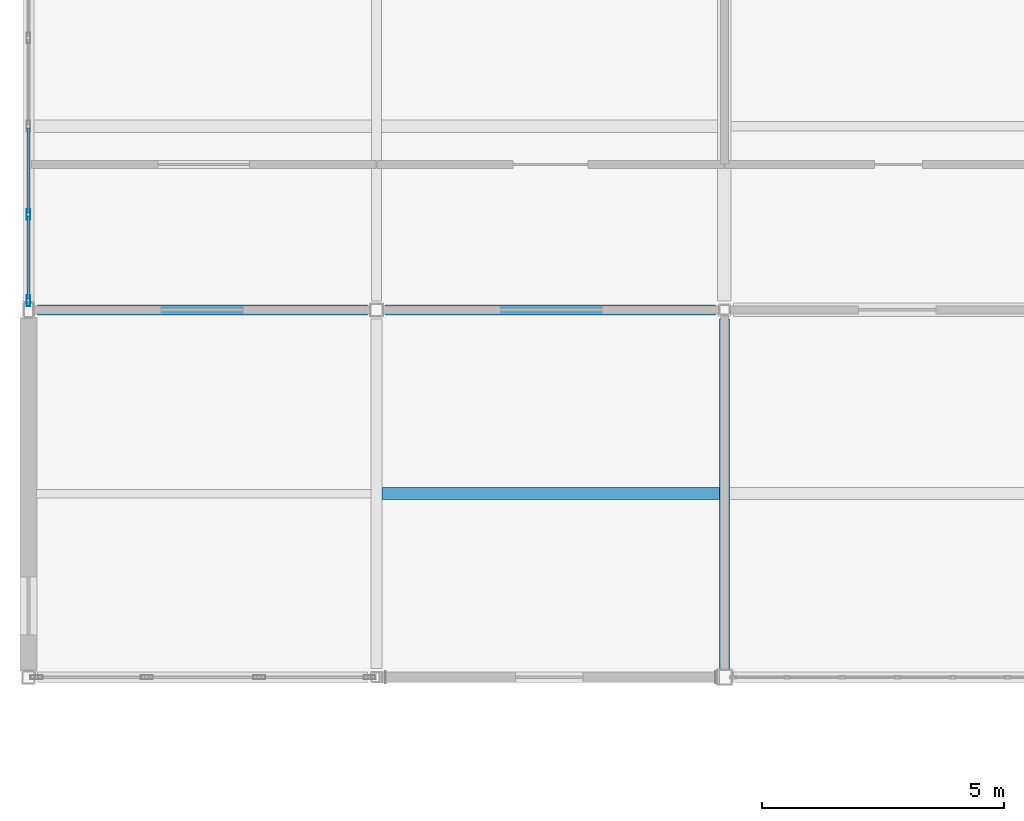
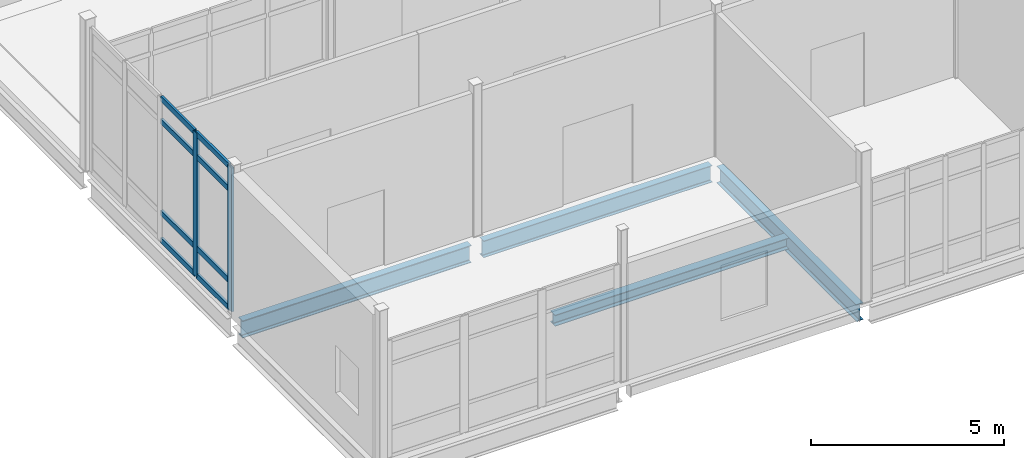
# One storey, part 33 of 186: 10 members, 4 beams, 1 element without a shape of its own.
"""IFC4 building model written with IfcOpenShell, lengths in metres."""

from ifc_helpers import new_model, si_unit, direction, frame, origin, origin_2d, place, context, subcontext, project, spatial, hollow_rectangle, i_section, extrude, material, layer, layer_set, material_profile, profile_set, type_object, element, aggregate, save


model = new_model("IFC4")

# Units and contexts
model_context = context("Model", 3, precision=1e-05, world=origin(), true_north=direction((0.0, 1.0)))
body_context = subcontext(model_context, "Body", "Model", "MODEL_VIEW")
ifc_project = project(units=[si_unit("LENGTHUNIT", "METRE"), si_unit("AREAUNIT", "SQUARE_METRE"), si_unit("VOLUMEUNIT", "CUBIC_METRE"), si_unit("PLANEANGLEUNIT", "RADIAN"), si_unit("MASSUNIT", "GRAM", prefix="KILO")], contexts=[model_context])

# Site, building, storey
site_placement = place(None, origin())
site = spatial("IfcSite", under=ifc_project, at=site_placement, CompositionType="ELEMENT")
building_placement = place(site_placement, origin())
building = spatial("IfcBuilding", under=site, at=building_placement, Name="Calvrana Isthmian Art Gallery", CompositionType="ELEMENT")
storey_placement = place(building_placement, frame((0.0, 0.0, 5.39990234375)))
storey = spatial("IfcBuildingStorey", under=building, at=storey_placement, Name="L01", CompositionType="ELEMENT", Elevation=5.39990234375)

# Beams
ifc_material_1 = material(Name="Steel ASTM A992 Gr 50", Category="steel")
ifc_material_profile_1 = material_profile(ifc_material_1, i_section(OverallWidth=0.208984375, OverallDepth=0.532958984375, WebThickness=0.01025390625, FlangeThickness=0.015625, FilletRadius=0.02099609375, at=origin_2d()), Name="W21X62")
ifc_profile_set_1 = profile_set([ifc_material_profile_1], Name="Steel ASTM A992 Gr 50")
beam_type_1 = type_object("IfcBeamType", Name="BM-G-W21X62", PredefinedType="BEAM", material=ifc_profile_set_1)
beam_1_placement = place(storey_placement, frame((7.386474609375, 54.39990234375, -0.511474609375), z_axis=(1.0, 0.0, 0.0), x_axis=(0.0, 1.0, 0.0)))
element("IfcBeam", 1, at=beam_1_placement, inside=storey, type_object=beam_type_1, Name="Girder X L01 02-03/H", PredefinedType="BEAM", context=body_context, shape_type="SweptSolid", body=[
    extrude(i_section(OverallWidth=0.208984375, OverallDepth=0.532958984375, WebThickness=0.01025390625, FlangeThickness=0.015625, FilletRadius=0.02099609375, at=origin_2d()), origin(), (0.0, 0.0, 1.0), 6.826904296875),
])
beam_2_placement = place(storey_placement, frame((14.39990234375, 46.9814453125, -0.511474609375), z_axis=(0.0, 1.0, 0.0), x_axis=(-1.0, 0.0, 0.0)))
element("IfcBeam", 2, at=beam_2_placement, inside=storey, type_object=beam_type_1, Name="Girder Y L01 03/G-H", PredefinedType="BEAM", context=body_context, shape_type="SweptSolid", body=[
    extrude(i_section(OverallWidth=0.208984375, OverallDepth=0.532958984375, WebThickness=0.01025390625, FlangeThickness=0.015625, FilletRadius=0.02099609375, at=origin_2d()), origin(), (0.0, 0.0, 1.0), 7.234619140625),
])
ifc_material_profile_2 = material_profile(ifc_material_1, i_section(OverallWidth=0.214111328125, OverallDepth=0.549072265625, WebThickness=0.0146484375, FlangeThickness=0.023681640625, FilletRadius=0.02099609375, at=origin_2d()), Name="W21X93")
ifc_profile_set_2 = profile_set([ifc_material_profile_2], Name="Steel ASTM A992 Gr 50")
beam_type_2 = type_object("IfcBeamType", Name="BM-G-W21X93", PredefinedType="BEAM", material=ifc_profile_set_2)
beam_3_placement = place(storey_placement, frame((0.18408203125, 54.39990234375, -0.519287109375), z_axis=(1.0, 0.0, 0.0), x_axis=(0.0, 1.0, 0.0)))
element("IfcBeam", 3, at=beam_3_placement, inside=storey, type_object=beam_type_2, Name="Girder X L01 01-02/H", PredefinedType="BEAM", context=body_context, shape_type="SweptSolid", body=[
    extrude(i_section(OverallWidth=0.214111328125, OverallDepth=0.549072265625, WebThickness=0.0146484375, FlangeThickness=0.023681640625, FilletRadius=0.02099609375, at=origin_2d()), origin(), (0.0, 0.0, 1.0), 6.829345703125),
])
ifc_material_profile_3 = material_profile(ifc_material_1, i_section(OverallWidth=0.25390625, OverallDepth=0.35302734375, WebThickness=0.009521484375, FlangeThickness=0.016357421875, FilletRadius=0.01806640625, at=origin_2d()), Name="W14X61")
ifc_profile_set_3 = profile_set([ifc_material_profile_3], Name="Steel ASTM A992 Gr 50")
beam_type_3 = type_object("IfcBeamType", Name="BM-J-W14X61", PredefinedType="JOIST", material=ifc_profile_set_3)
beam_4_placement = place(storey_placement, frame((7.31396484375, 50.60009765625, -0.42138671875), z_axis=(1.0, 0.0, 0.0), x_axis=(0.0, 1.0, 0.0)))
element("IfcBeam", 4, at=beam_4_placement, inside=storey, type_object=beam_type_3, Name="Composite joist L01 bay 01-06", PredefinedType="JOIST", context=body_context, shape_type="SweptSolid", body=[
    extrude(i_section(OverallWidth=0.25390625, OverallDepth=0.35302734375, WebThickness=0.009521484375, FlangeThickness=0.016357421875, FilletRadius=0.01806640625, at=origin_2d()), origin(), (0.0, 0.0, 1.0), 6.9814453125),
])

# Curtain wall, members
ifc_material_2 = material(Name="Anodized bronze aluminium 6063-T6", Category="aluminium")
ifc_layer = layer(ifc_material_2, 0.179931640625, Name="Anodized bronze aluminium 6063-T6")
ifc_layer_set = layer_set([ifc_layer], Name="Anodized bronze aluminium 6063-T6")
curtain_wall_type = type_object("IfcCurtainWallType", Name="CW-UNIT-073X45", PredefinedType="USERDEFINED", material=ifc_layer_set)
curtain_wall_placement = place(storey_placement, origin())
curtain_wall = element("IfcCurtainWall", 5, at=curtain_wall_placement, inside=storey, type_object=curtain_wall_type, Name="Curtain wall CW-118", ObjectType="UNITISED CURTAIN WALL", PredefinedType="USERDEFINED")
ifc_material_profile_4 = material_profile(ifc_material_2, hollow_rectangle(XDim=0.074951171875, YDim=0.219970703125, WallThickness=0.0048828125, at=origin_2d()), Name="CWM75X220")
ifc_profile_set_4 = profile_set([ifc_material_profile_4], Name="Anodized bronze aluminium 6063-T6")
member_type_1 = type_object("IfcMemberType", Name="CWM-CWM75X220", PredefinedType="MULLION", material=ifc_profile_set_4)
member_1_placement = place(storey_placement, frame((0.0, 54.58984375, 0.0), z_axis=(0.0, 0.0, 1.0), x_axis=(-1.0, 0.0, 0.0)))
member_1 = element("IfcMember", 6, at=member_1_placement, type_object=member_type_1, Name="CW-118 mullion 1", PredefinedType="MULLION", context=body_context, shape_type="SweptSolid", body=[
    extrude(hollow_rectangle(XDim=0.074951171875, YDim=0.219970703125, WallThickness=0.0048828125, at=origin_2d()), origin(), (0.0, 0.0, 1.0), 4.5400390625),
])
member_2_placement = place(storey_placement, frame((0.0, 56.376220703125, 0.0), z_axis=(0.0, 0.0, 1.0), x_axis=(-1.0, 0.0, 0.0)))
member_2 = element("IfcMember", 7, at=member_2_placement, type_object=member_type_1, Name="CW-118 mullion 2", PredefinedType="MULLION", context=body_context, shape_type="SweptSolid", body=[
    extrude(hollow_rectangle(XDim=0.074951171875, YDim=0.219970703125, WallThickness=0.0048828125, at=origin_2d()), origin(), (0.0, 0.0, 1.0), 4.5400390625),
])
ifc_material_profile_5 = material_profile(ifc_material_2, hollow_rectangle(XDim=0.070068359375, YDim=0.169921875, WallThickness=0.00439453125, at=origin_2d()), Name="CWT70X170")
ifc_profile_set_5 = profile_set([ifc_material_profile_5], Name="Anodized bronze aluminium 6063-T6")
member_type_2 = type_object("IfcMemberType", Name="CWT-CWT70X170", PredefinedType="USERDEFINED", material=ifc_profile_set_5)
member_3_placement = place(storey_placement, frame((0.0, 54.62744140625, 0.03515625), z_axis=(0.0, 1.0, 0.0), x_axis=(-1.0, 0.0, 0.0)))
member_3 = element("IfcMember", 8, at=member_3_placement, type_object=member_type_2, Name="CW-118 transom 1.1", ObjectType="TRANSOM", PredefinedType="USERDEFINED", context=body_context, shape_type="SweptSolid", body=[
    extrude(hollow_rectangle(XDim=0.070068359375, YDim=0.169921875, WallThickness=0.00439453125, at=origin_2d()), origin(), (0.0, 0.0, 1.0), 1.711181640625),
])
member_4_placement = place(storey_placement, frame((0.0, 54.62744140625, 0.900146484375), z_axis=(0.0, 1.0, 0.0), x_axis=(-1.0, 0.0, 0.0)))
member_4 = element("IfcMember", 9, at=member_4_placement, type_object=member_type_2, Name="CW-118 transom 1.2", ObjectType="TRANSOM", PredefinedType="USERDEFINED", context=body_context, shape_type="SweptSolid", body=[
    extrude(hollow_rectangle(XDim=0.070068359375, YDim=0.169921875, WallThickness=0.00439453125, at=origin_2d()), origin(), (0.0, 0.0, 1.0), 1.711181640625),
])
member_5_placement = place(storey_placement, frame((0.0, 54.62744140625, 3.7900390625), z_axis=(0.0, 1.0, 0.0), x_axis=(-1.0, 0.0, 0.0)))
member_5 = element("IfcMember", 10, at=member_5_placement, type_object=member_type_2, Name="CW-118 transom 1.3", ObjectType="TRANSOM", PredefinedType="USERDEFINED", context=body_context, shape_type="SweptSolid", body=[
    extrude(hollow_rectangle(XDim=0.070068359375, YDim=0.169921875, WallThickness=0.00439453125, at=origin_2d()), origin(), (0.0, 0.0, 1.0), 1.711181640625),
])
member_6_placement = place(storey_placement, frame((0.0, 54.62744140625, 4.505126953125), z_axis=(0.0, 1.0, 0.0), x_axis=(-1.0, 0.0, 0.0)))
member_6 = element("IfcMember", 11, at=member_6_placement, type_object=member_type_2, Name="CW-118 transom 1.4", ObjectType="TRANSOM", PredefinedType="USERDEFINED", context=body_context, shape_type="SweptSolid", body=[
    extrude(hollow_rectangle(XDim=0.070068359375, YDim=0.169921875, WallThickness=0.00439453125, at=origin_2d()), origin(), (0.0, 0.0, 1.0), 1.711181640625),
])
member_7_placement = place(storey_placement, frame((0.0, 56.413818359375, 0.03515625), z_axis=(0.0, 1.0, 0.0), x_axis=(-1.0, 0.0, 0.0)))
member_7 = element("IfcMember", 12, at=member_7_placement, type_object=member_type_2, Name="CW-118 transom 2.1", ObjectType="TRANSOM", PredefinedType="USERDEFINED", context=body_context, shape_type="SweptSolid", body=[
    extrude(hollow_rectangle(XDim=0.070068359375, YDim=0.169921875, WallThickness=0.00439453125, at=origin_2d()), origin(), (0.0, 0.0, 1.0), 1.748779296875),
])
member_8_placement = place(storey_placement, frame((0.0, 56.413818359375, 0.900146484375), z_axis=(0.0, 1.0, 0.0), x_axis=(-1.0, 0.0, 0.0)))
member_8 = element("IfcMember", 13, at=member_8_placement, type_object=member_type_2, Name="CW-118 transom 2.2", ObjectType="TRANSOM", PredefinedType="USERDEFINED", context=body_context, shape_type="SweptSolid", body=[
    extrude(hollow_rectangle(XDim=0.070068359375, YDim=0.169921875, WallThickness=0.00439453125, at=origin_2d()), origin(), (0.0, 0.0, 1.0), 1.748779296875),
])
member_9_placement = place(storey_placement, frame((0.0, 56.413818359375, 3.7900390625), z_axis=(0.0, 1.0, 0.0), x_axis=(-1.0, 0.0, 0.0)))
member_9 = element("IfcMember", 14, at=member_9_placement, type_object=member_type_2, Name="CW-118 transom 2.3", ObjectType="TRANSOM", PredefinedType="USERDEFINED", context=body_context, shape_type="SweptSolid", body=[
    extrude(hollow_rectangle(XDim=0.070068359375, YDim=0.169921875, WallThickness=0.00439453125, at=origin_2d()), origin(), (0.0, 0.0, 1.0), 1.748779296875),
])
member_10_placement = place(storey_placement, frame((0.0, 56.413818359375, 4.505126953125), z_axis=(0.0, 1.0, 0.0), x_axis=(-1.0, 0.0, 0.0)))
member_10 = element("IfcMember", 15, at=member_10_placement, type_object=member_type_2, Name="CW-118 transom 2.4", ObjectType="TRANSOM", PredefinedType="USERDEFINED", context=body_context, shape_type="SweptSolid", body=[
    extrude(hollow_rectangle(XDim=0.070068359375, YDim=0.169921875, WallThickness=0.00439453125, at=origin_2d()), origin(), (0.0, 0.0, 1.0), 1.748779296875),
])
aggregate(curtain_wall, [member_1, member_2, member_3, member_4, member_5, member_6, member_7, member_8, member_9, member_10])

save(model, "model.ifc")
